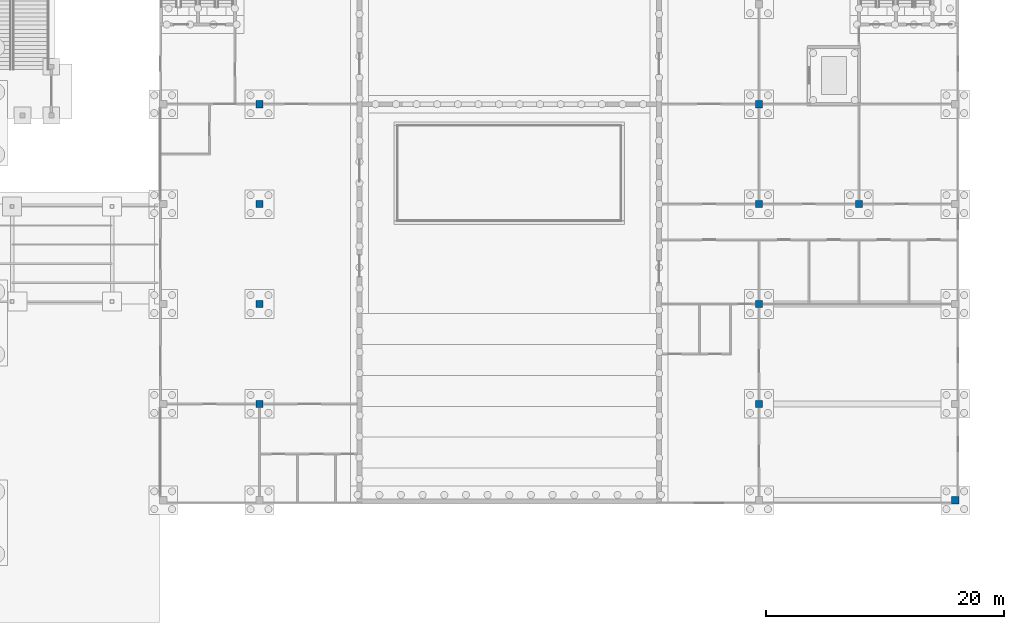
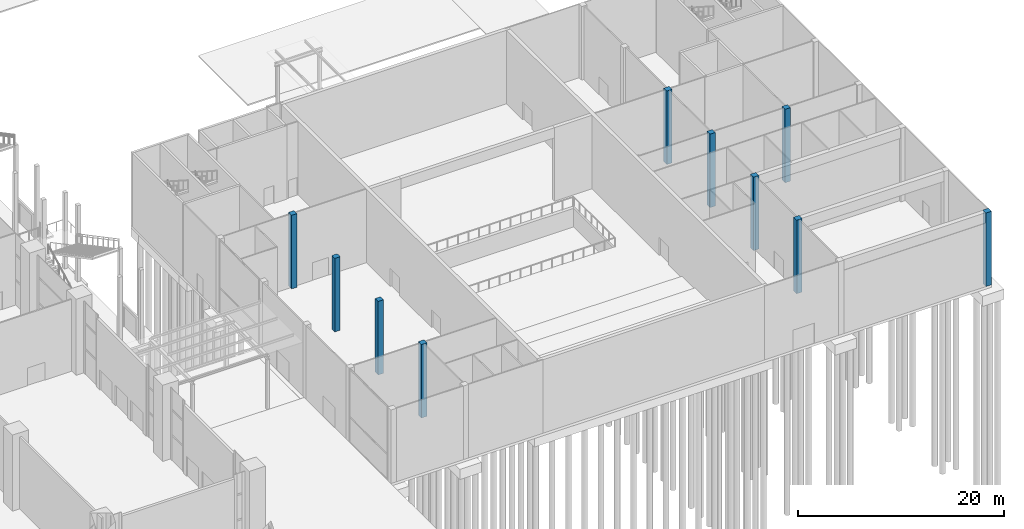
# One storey, part 10 of 72: 10 columns.
"""IFC4 building model written with IfcOpenShell, lengths in metres."""

from ifc_helpers import new_model, si_unit, direction, frame, origin, origin_2d, place, context, subcontext, project, spatial, rectangle, extrude, material, material_profile, profile_set, type_object, element, save


model = new_model("IFC4")

# Units and contexts
model_context = context("Model", 3, precision=1e-05, world=origin(), true_north=direction((0.0, 1.0)))
body_context = subcontext(model_context, "Body", "Model", "MODEL_VIEW")
ifc_project = project(units=[si_unit("LENGTHUNIT", "METRE"), si_unit("AREAUNIT", "SQUARE_METRE"), si_unit("VOLUMEUNIT", "CUBIC_METRE"), si_unit("PLANEANGLEUNIT", "RADIAN"), si_unit("MASSUNIT", "GRAM", prefix="KILO")], contexts=[model_context])

# Site, building, storey
site_placement = place(None, origin())
site = spatial("IfcSite", under=ifc_project, at=site_placement, CompositionType="ELEMENT")
building_placement = place(site_placement, origin())
building = spatial("IfcBuilding", under=site, at=building_placement, Name="Candeia Pilgrim Tower and Theatre", CompositionType="ELEMENT")
storey_placement = place(building_placement, origin())
storey = spatial("IfcBuildingStorey", under=building, at=storey_placement, Name="L00", CompositionType="ELEMENT", Elevation=0.0)

# Columns
ifc_material = material(Name="Concrete C40/50", Category="concrete")
ifc_material_profile = material_profile(ifc_material, rectangle(XDim=0.60009765625, YDim=0.60009765625, at=origin_2d()))
ifc_profile_set = profile_set([ifc_material_profile], Name="Concrete C40/50")
column_type = type_object("IfcColumnType", Name="Theatre column 600x600", PredefinedType="COLUMN", material=ifc_profile_set)
for number, where, z_axis, x_axis, name in (
    (1, (184.39990234375, 74.39990234375, 0.0), (0.0, 0.0, 1.0), (1.0, 0.0, 0.0), "Column TC-B2 L00"),
    (2, (184.39990234375, 82.800048828125, 0.0), (0.0, 0.0, 1.0), (1.0, 0.0, 0.0), "Column TC-C2 L00"),
    (3, (184.39990234375, 91.199951171875, 0.0), (0.0, 0.0, 1.0), (1.0, 0.0, 0.0), "Column TC-D2 L00"),
    (4, (184.39990234375, 99.60009765625, 0.0), (0.0, 0.0, 1.0), (1.0, 0.0, 0.0), "Column TC-E2 L00"),
    (5, (226.39990234375, 74.39990234375, 0.0), (0.0, 0.0, 1.0), (1.0, 0.0, 0.0), "Column TC-B7 L00"),
    (6, (226.39990234375, 82.800048828125, 0.0), (0.0, 0.0, 1.0), (1.0, 0.0, 0.0), "Column TC-C7 L00"),
    (7, (226.39990234375, 91.199951171875, 0.0), (0.0, 0.0, 1.0), (1.0, 0.0, 0.0), "Column TC-D7 L00"),
    (8, (226.39990234375, 99.60009765625, 0.0), (0.0, 0.0, 1.0), (1.0, 0.0, 0.0), "Column TC-E7 L00"),
    (9, (234.800048828125, 91.199951171875, 0.0), (0.0, 0.0, 1.0), (1.0, 0.0, 0.0), "Column TC-D8 L00"),
    (10, (242.89990234375, 66.300048828125, 0.0), (0.0, 0.0, 1.0), (1.0, 0.0, 0.0), "Column TC-A9 L00"),
):
    element("IfcColumn", number, at=place(storey_placement, frame(where, z_axis=z_axis, x_axis=x_axis)), inside=storey, type_object=column_type, Name=name, PredefinedType="COLUMN", context=body_context, shape_type="SweptSolid", body=[
        extrude(rectangle(XDim=0.60009765625, YDim=0.60009765625, at=origin_2d()), origin(), (0.0, 0.0, 1.0), 8.699951171875),
    ])

save(model, "model.ifc")
